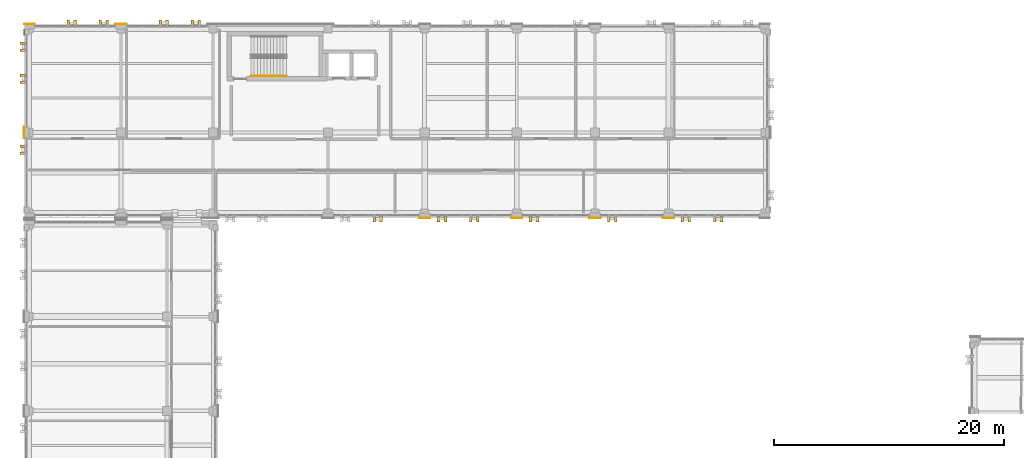
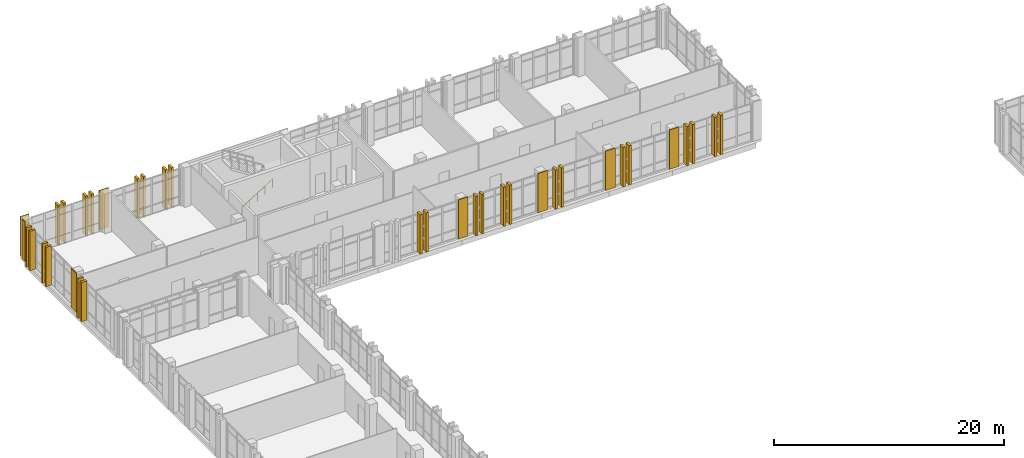
# One storey, part 150 of 158: 36 coverings, 1 railing.
"""IFC4 building model written with IfcOpenShell, lengths in metres."""

from ifc_helpers import new_model, si_unit, direction, frame, origin, origin_2d, place, context, subcontext, project, spatial, rectangle, circle, extrude, material, layer, layer_set, type_object, element, save


model = new_model("IFC4")

# Units and contexts
model_context = context("Model", 3, precision=1e-05, world=origin(), true_north=direction((0.0, 1.0)))
body_context = subcontext(model_context, "Body", "Model", "MODEL_VIEW")
ifc_project = project(units=[si_unit("LENGTHUNIT", "METRE"), si_unit("AREAUNIT", "SQUARE_METRE"), si_unit("VOLUMEUNIT", "CUBIC_METRE"), si_unit("PLANEANGLEUNIT", "RADIAN"), si_unit("MASSUNIT", "GRAM", prefix="KILO")], contexts=[model_context])

# Site, building, storey
site_placement = place(None, origin())
site = spatial("IfcSite", under=ifc_project, at=site_placement, CompositionType="ELEMENT")
building_placement = place(site_placement, origin())
building = spatial("IfcBuilding", under=site, at=building_placement, Name="Qalavern Law Courts", CompositionType="ELEMENT")
storey_placement = place(building_placement, frame((0.0, 0.0, 18.60009765625)))
storey = spatial("IfcBuildingStorey", under=building, at=storey_placement, Name="L04", CompositionType="ELEMENT", Elevation=18.60009765625)

# Coverings
ifc_material_1 = material(Name="Precast concrete C40/50", Category="concrete")
ifc_layer_1 = layer(ifc_material_1, 0.22998046875)
ifc_layer_set_1 = layer_set([ifc_layer_1], Name="Precast concrete C40/50")
covering_type_1 = type_object("IfcCoveringType", Name="ENV-BLD-2", PredefinedType="CLADDING", material=ifc_layer_set_1)
for number, where, z_axis, x_axis, name in (
    (1, (32.39990234375, 96.090087890625, 0.0048828125), (0.0, 0.0, 1.0), (0.0, -1.0, 0.0), "Absheron stone facade blade 1071"),
    (2, (33.0, 96.090087890625, 0.0048828125), (0.0, 0.0, 1.0), (0.0, -1.0, 0.0), "Absheron stone facade blade 1072"),
    (3, (38.0, 96.090087890625, 0.0048828125), (0.0, 0.0, 1.0), (0.0, -1.0, 0.0), "Absheron stone facade blade 1073"),
    (4, (38.60009765625, 96.090087890625, 0.0048828125), (0.0, 0.0, 1.0), (0.0, -1.0, 0.0), "Absheron stone facade blade 1074"),
    (5, (40.800048828125, 96.090087890625, 0.0048828125), (0.0, 0.0, 1.0), (0.0, -1.0, 0.0), "Absheron stone facade blade 1075"),
    (6, (41.39990234375, 96.090087890625, 0.0048828125), (0.0, 0.0, 1.0), (0.0, -1.0, 0.0), "Absheron stone facade blade 1076"),
    (7, (46.0, 96.090087890625, 0.0048828125), (0.0, 0.0, 1.0), (0.0, -1.0, 0.0), "Absheron stone facade blade 1077"),
    (8, (46.60009765625, 96.090087890625, 0.0048828125), (0.0, 0.0, 1.0), (0.0, -1.0, 0.0), "Absheron stone facade blade 1078"),
    (9, (52.800048828125, 96.090087890625, 0.0048828125), (0.0, 0.0, 1.0), (0.0, -1.0, 0.0), "Absheron stone facade blade 1079"),
    (10, (53.39990234375, 96.090087890625, 0.0048828125), (0.0, 0.0, 1.0), (0.0, -1.0, 0.0), "Absheron stone facade blade 1080"),
    (11, (59.199951171875, 96.090087890625, 0.0048828125), (0.0, 0.0, 1.0), (0.0, -1.0, 0.0), "Absheron stone facade blade 1081"),
    (12, (59.800048828125, 96.090087890625, 0.0048828125), (0.0, 0.0, 1.0), (0.0, -1.0, 0.0), "Absheron stone facade blade 1082"),
    (13, (62.0, 96.090087890625, 0.0048828125), (0.0, 0.0, 1.0), (0.0, -1.0, 0.0), "Absheron stone facade blade 1083"),
    (14, (62.60009765625, 96.090087890625, 0.0048828125), (0.0, 0.0, 1.0), (0.0, -1.0, 0.0), "Absheron stone facade blade 1084"),
    (15, (17.199951171875, 113.110107421875, 0.0048828125), (0.0, 0.0, 1.0), (0.0, 1.0, 0.0), "Absheron stone facade blade 1107"),
    (16, (16.60009765625, 113.110107421875, 0.0048828125), (0.0, 0.0, 1.0), (0.0, 1.0, 0.0), "Absheron stone facade blade 1108"),
    (17, (14.39990234375, 113.110107421875, 0.0048828125), (0.0, 0.0, 1.0), (0.0, 1.0, 0.0), "Absheron stone facade blade 1109"),
    (18, (13.800048828125, 113.110107421875, 0.0048828125), (0.0, 0.0, 1.0), (0.0, 1.0, 0.0), "Absheron stone facade blade 1110"),
    (19, (9.199951171875, 113.110107421875, 0.0048828125), (0.0, 0.0, 1.0), (0.0, 1.0, 0.0), "Absheron stone facade blade 1111"),
    (20, (8.60009765625, 113.110107421875, 0.0048828125), (0.0, 0.0, 1.0), (0.0, 1.0, 0.0), "Absheron stone facade blade 1112"),
    (21, (6.39990234375, 113.110107421875, 0.0048828125), (0.0, 0.0, 1.0), (0.0, 1.0, 0.0), "Absheron stone facade blade 1113"),
    (22, (5.800048828125, 113.110107421875, 0.0048828125), (0.0, 0.0, 1.0), (0.0, 1.0, 0.0), "Absheron stone facade blade 1114"),
    (23, (1.889892578125, 111.35498046875, 0.0048828125), (0.0, 0.0, 1.0), (-1.0, 0.0, 0.0), "Absheron stone facade blade 1115"),
    (24, (1.889892578125, 110.7548828125, 0.0048828125), (0.0, 0.0, 1.0), (-1.0, 0.0, 0.0), "Absheron stone facade blade 1116"),
    (25, (1.889892578125, 108.554931640625, 0.0048828125), (0.0, 0.0, 1.0), (-1.0, 0.0, 0.0), "Absheron stone facade blade 1117"),
    (26, (1.889892578125, 107.955078125, 0.0048828125), (0.0, 0.0, 1.0), (-1.0, 0.0, 0.0), "Absheron stone facade blade 1118"),
    (27, (1.889892578125, 102.39990234375, 0.0048828125), (0.0, 0.0, 1.0), (-1.0, 0.0, 0.0), "Absheron stone facade blade 1119"),
    (28, (1.889892578125, 101.800048828125, 0.0048828125), (0.0, 0.0, 1.0), (-1.0, 0.0, 0.0), "Absheron stone facade blade 1120"),
):
    element("IfcCovering", number, at=place(storey_placement, frame(where, z_axis=z_axis, x_axis=x_axis)), inside=storey, type_object=covering_type_1, Name=name, PredefinedType="CLADDING", context=body_context, shape_type="SweptSolid", body=[
        extrude(rectangle(XDim=0.5400390625, YDim=0.22998046875, at=origin_2d()), origin(), (0.0, 0.0, 1.0), 4.18994140625),
    ])
ifc_layer_2 = layer(ifc_material_1, 0.072021484375)
ifc_layer_set_2 = layer_set([ifc_layer_2], Name="Precast concrete C40/50")
covering_type_2 = type_object("IfcCoveringType", Name="ENV-CLD-2", PredefinedType="CLADDING", material=ifc_layer_set_2)
for number, where, z_axis, x_axis, name in (
    (29, (36.800048828125, 96.1669921875, 0.009765625), (0.0, 0.0, 1.0), (1.0, 0.0, 0.0), "V5 Absheron limestone pier facing L04 south 3"),
    (30, (44.800048828125, 96.1669921875, 0.009765625), (0.0, 0.0, 1.0), (1.0, 0.0, 0.0), "V5 Absheron limestone pier facing L04 south 4"),
    (31, (51.60009765625, 96.1669921875, 0.009765625), (0.0, 0.0, 1.0), (1.0, 0.0, 0.0), "V5 Absheron limestone pier facing L04 south 5"),
    (32, (58.0, 96.1669921875, 0.009765625), (0.0, 0.0, 1.0), (1.0, 0.0, 0.0), "V5 Absheron limestone pier facing L04 south 6"),
    (33, (10.39990234375, 113.032958984375, 0.009765625), (0.0, 0.0, 1.0), (-1.0, 0.0, 0.0), "V5 Absheron limestone pier facing L04 north 7"),
):
    element("IfcCovering", number, at=place(storey_placement, frame(where, z_axis=z_axis, x_axis=x_axis)), inside=storey, type_object=covering_type_2, Name=name, PredefinedType="CLADDING", context=body_context, shape_type="SweptSolid", body=[
        extrude(rectangle(XDim=0.97998046875, YDim=0.072021484375, at=origin_2d()), origin(), (0.0, 0.0, 1.0), 4.179931640625),
    ])
covering_1_placement = place(storey_placement, frame((2.449951171875, 113.032958984375, 0.009765625), z_axis=(0.0, 0.0, 1.0), x_axis=(-1.0, 0.0, 0.0)))
element("IfcCovering", 34, at=covering_1_placement, inside=storey, type_object=covering_type_2, Name="V5 Absheron limestone pier facing L04 north 8", PredefinedType="CLADDING", context=body_context, shape_type="SweptSolid", body=[
    extrude(rectangle(XDim=0.8798828125, YDim=0.072021484375, at=origin_2d()), origin(), (0.0, 0.0, 1.0), 4.179931640625),
])
covering_2_placement = place(storey_placement, frame((1.967041015625, 112.330078125, 0.009765625), z_axis=(0.0, 0.0, 1.0), x_axis=(0.0, -1.0, 0.0)))
element("IfcCovering", 35, at=covering_2_placement, inside=storey, type_object=covering_type_2, Name="V5 Absheron limestone pier facing L04 west 1", PredefinedType="CLADDING", context=body_context, shape_type="SweptSolid", body=[
    extrude(rectangle(XDim=0.530029296875, YDim=0.072021484375, at=origin_2d()), origin(), (0.0, 0.0, 1.0), 4.179931640625),
])
covering_3_placement = place(storey_placement, frame((1.967041015625, 103.60009765625, 0.009765625), z_axis=(0.0, 0.0, 1.0), x_axis=(0.0, -1.0, 0.0)))
element("IfcCovering", 36, at=covering_3_placement, inside=storey, type_object=covering_type_2, Name="V5 Absheron limestone pier facing L04 west 2", PredefinedType="CLADDING", context=body_context, shape_type="SweptSolid", body=[
    extrude(rectangle(XDim=0.97998046875, YDim=0.072021484375, at=origin_2d()), origin(), (0.0, 0.0, 1.0), 4.179931640625),
])

# Railing
ifc_material_2 = material(Name="Steel S355", Category="steel")
railing_type = type_object("IfcRailingType", Name="INT-HRAIL-920", PredefinedType="HANDRAIL", material=ifc_material_2)
railing_placement = place(storey_placement, frame((21.699951171875, 108.5, 0.1748046875)))
element("IfcRailing", 37, at=railing_placement, inside=storey, type_object=railing_type, Name="L04 ST-K3 stair handrail 1", PredefinedType="HANDRAIL", context=body_context, shape_type="SweptSolid", body=[
    extrude(circle(Radius=0.02392578125, at=origin_2d()), frame((0.0, 0.0, 0.8759765625), z_axis=(0.847998304005, 0.0, 0.529998940003), x_axis=(0.0, 1.0, 0.0)), (0.0, 0.0, 1.0), 3.632080078125),
    extrude(circle(Radius=0.02099609375, at=origin_2d()), origin(), (0.0, 0.0, 1.0), 0.851806640625),
    extrude(circle(Radius=0.02099609375, at=origin_2d()), frame((0.77001953125, 0.0, 0.481201171875)), (0.0, 0.0, 1.0), 0.851806640625),
    extrude(circle(Radius=0.02099609375, at=origin_2d()), frame((1.5400390625, 0.0, 0.96240234375)), (0.0, 0.0, 1.0), 0.851806640625),
    extrude(circle(Radius=0.02099609375, at=origin_2d()), frame((2.31005859375, 0.0, 1.44384765625)), (0.0, 0.0, 1.0), 0.851806640625),
    extrude(circle(Radius=0.02099609375, at=origin_2d()), frame((3.080078125, 0.0, 1.925048828125)), (0.0, 0.0, 1.0), 0.851806640625),
])

save(model, "model.ifc")
